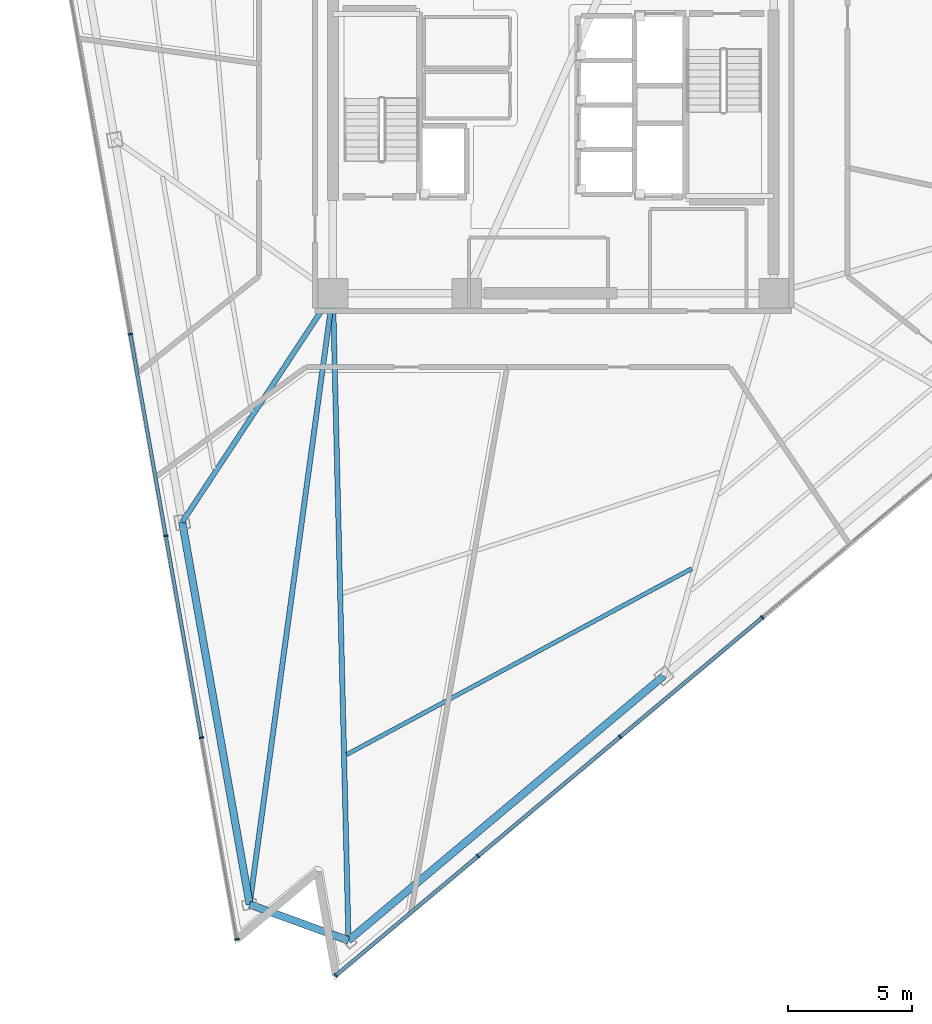
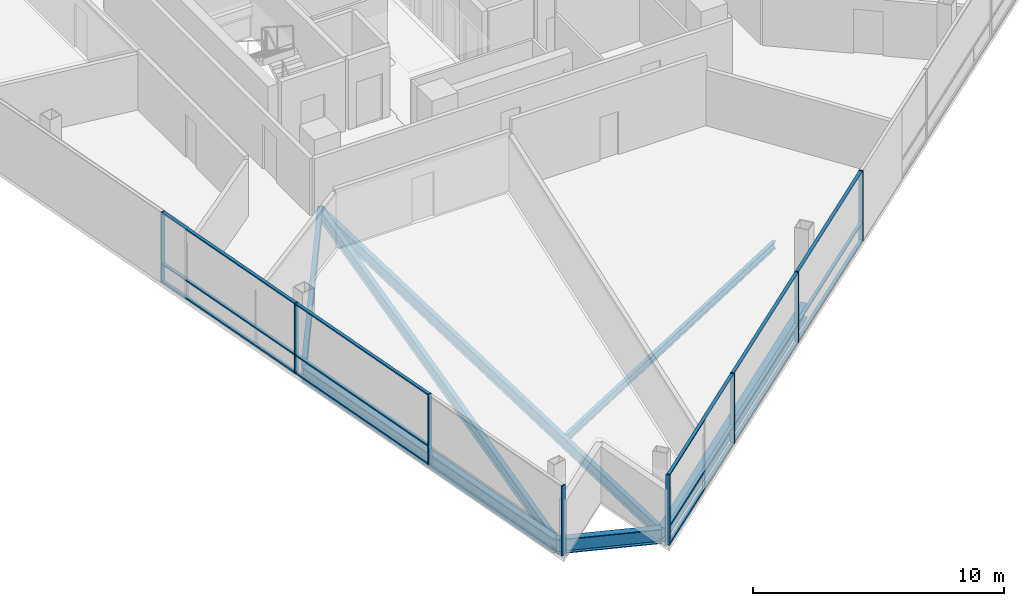
# One storey, part 2 of 16: 23 members, 7 beams, 2 elements without a shape of their own.
"""IFC4 building model written with IfcOpenShell, lengths in metres."""

from ifc_helpers import new_model, si_unit, direction, frame, origin, origin_2d, place, context, subcontext, project, spatial, rectangle, i_section, extrude, material, layer, layer_set, material_profile, profile_set, type_object, element, aggregate, save


model = new_model("IFC4")

# Units and contexts
model_context = context("Model", 3, precision=1e-05, world=origin(), true_north=direction((0.0, 1.0)))
body_context = subcontext(model_context, "Body", "Model", "MODEL_VIEW")
ifc_project = project(units=[si_unit("LENGTHUNIT", "METRE"), si_unit("AREAUNIT", "SQUARE_METRE"), si_unit("VOLUMEUNIT", "CUBIC_METRE"), si_unit("PLANEANGLEUNIT", "RADIAN"), si_unit("MASSUNIT", "GRAM", prefix="KILO")], contexts=[model_context])

# Site, building, storey
site_placement = place(None, origin())
site = spatial("IfcSite", under=ifc_project, at=site_placement, CompositionType="ELEMENT")
building_placement = place(site_placement, origin())
building = spatial("IfcBuilding", under=site, at=building_placement, Name="Tharavind Bronze Gate", CompositionType="ELEMENT")
storey_placement = place(building_placement, frame((0.0, 0.0, 170.5)))
storey = spatial("IfcBuildingStorey", under=building, at=storey_placement, Name="L43", CompositionType="ELEMENT", Elevation=170.5)

# Curtain wall, members
ifc_material_1 = material(Name="Anodised Bronze Aluminium", Category="aluminium")
ifc_layer = layer(ifc_material_1, 0.219970703125)
ifc_layer_set = layer_set([ifc_layer], Name="Anodised Bronze Aluminium")
curtain_wall_type = type_object("IfcCurtainWallType", Name="UNITISED CURTAIN WALL MID OFFICE", PredefinedType="USERDEFINED", material=ifc_layer_set)
curtain_wall_1_placement = place(storey_placement, origin())
curtain_wall_1 = element("IfcCurtainWall", 1, at=curtain_wall_1_placement, inside=storey, type_object=curtain_wall_type, Name="L43 unitised curtain wall mid office CW-L43-S1", ObjectType="UNITISED CURTAIN WALL", PredefinedType="USERDEFINED")
member_type_1 = type_object("IfcMemberType", Name="CURTAIN WALL BRONZE MULLION 65X180", PredefinedType="MULLION", material=ifc_material_1)
member_1_placement = place(storey_placement, frame((-17.086669921875, -9.250732421875, 0.0), z_axis=(0.0, 0.0, 1.0), x_axis=(0.173648177667, -0.984807753012, 0.0)))
member_1 = element("IfcMember", 2, at=member_1_placement, type_object=member_type_1, Name="CW-L43-S1 mullion 4", PredefinedType="MULLION", context=body_context, shape_type="SweptSolid", body=[
    extrude(rectangle(XDim=0.06494140625, YDim=0.179931640625, at=origin_2d()), origin(), (0.0, 0.0, 1.0), 3.419921875),
])
member_2_placement = place(storey_placement, frame((-15.650146484375, -17.3984375, 0.0), z_axis=(0.0, 0.0, 1.0), x_axis=(0.173648177667, -0.984807753012, 0.0)))
member_2 = element("IfcMember", 3, at=member_2_placement, type_object=member_type_1, Name="CW-L43-S1 mullion 5", PredefinedType="MULLION", context=body_context, shape_type="SweptSolid", body=[
    extrude(rectangle(XDim=0.06494140625, YDim=0.179931640625, at=origin_2d()), origin(), (0.0, 0.0, 1.0), 3.419921875),
])
member_3_placement = place(storey_placement, frame((-14.21337890625, -25.546142578125, 0.0), z_axis=(0.0, 0.0, 1.0), x_axis=(0.173648177667, -0.984807753012, 0.0)))
member_3 = element("IfcMember", 4, at=member_3_placement, type_object=member_type_1, Name="CW-L43-S1 mullion 6", PredefinedType="MULLION", context=body_context, shape_type="SweptSolid", body=[
    extrude(rectangle(XDim=0.06494140625, YDim=0.179931640625, at=origin_2d()), origin(), (0.0, 0.0, 1.0), 3.419921875),
])
member_4_placement = place(storey_placement, frame((-12.77685546875, -33.69384765625, 0.0), z_axis=(0.0, 0.0, 1.0), x_axis=(0.173648177667, -0.984807753012, 0.0)))
member_4 = element("IfcMember", 5, at=member_4_placement, type_object=member_type_1, Name="CW-L43-S1 mullion 7", PredefinedType="MULLION", context=body_context, shape_type="SweptSolid", body=[
    extrude(rectangle(XDim=0.06494140625, YDim=0.179931640625, at=origin_2d()), origin(), (0.0, 0.0, 1.0), 3.419921875),
])

curtain_wall_2_placement = place(storey_placement, origin())
curtain_wall_2 = element("IfcCurtainWall", 6, at=curtain_wall_2_placement, inside=storey, type_object=curtain_wall_type, Name="L43 unitised curtain wall mid office CW-L43-S2", ObjectType="UNITISED CURTAIN WALL", PredefinedType="USERDEFINED")
member_5_placement = place(storey_placement, frame((-8.784912109375, -35.146728515625, 0.0), z_axis=(0.0, 0.0, 1.0), x_axis=(0.766043321242, 0.642788946685, 0.0)))
member_5 = element("IfcMember", 7, at=member_5_placement, type_object=member_type_1, Name="CW-L43-S2 mullion 1", PredefinedType="MULLION", context=body_context, shape_type="SweptSolid", body=[
    extrude(rectangle(XDim=0.06494140625, YDim=0.179931640625, at=origin_2d()), origin(), (0.0, 0.0, 1.0), 3.419921875),
])
member_6_placement = place(storey_placement, frame((-3.042724609375, -30.328369140625, 0.0), z_axis=(0.0, 0.0, 1.0), x_axis=(0.766043321242, 0.642788946685, 0.0)))
member_6 = element("IfcMember", 8, at=member_6_placement, type_object=member_type_1, Name="CW-L43-S2 mullion 2", PredefinedType="MULLION", context=body_context, shape_type="SweptSolid", body=[
    extrude(rectangle(XDim=0.06494140625, YDim=0.179931640625, at=origin_2d()), origin(), (0.0, 0.0, 1.0), 3.419921875),
])
member_7_placement = place(storey_placement, frame((2.69970703125, -25.510009765625, 0.0), z_axis=(0.0, 0.0, 1.0), x_axis=(0.766043321242, 0.642788946685, 0.0)))
member_7 = element("IfcMember", 9, at=member_7_placement, type_object=member_type_1, Name="CW-L43-S2 mullion 3", PredefinedType="MULLION", context=body_context, shape_type="SweptSolid", body=[
    extrude(rectangle(XDim=0.06494140625, YDim=0.179931640625, at=origin_2d()), origin(), (0.0, 0.0, 1.0), 3.419921875),
])
member_8_placement = place(storey_placement, frame((8.44189453125, -20.691650390625, 0.0), z_axis=(0.0, 0.0, 1.0), x_axis=(0.766043321242, 0.642788946685, 0.0)))
member_8 = element("IfcMember", 10, at=member_8_placement, type_object=member_type_1, Name="CW-L43-S2 mullion 4", PredefinedType="MULLION", context=body_context, shape_type="SweptSolid", body=[
    extrude(rectangle(XDim=0.06494140625, YDim=0.179931640625, at=origin_2d()), origin(), (0.0, 0.0, 1.0), 3.419921875),
])

# Member
member_type_2 = type_object("IfcMemberType", Name="CURTAIN WALL BRONZE TRANSOM 65X140", PredefinedType="USERDEFINED", material=ifc_material_1)
member_9_placement = place(storey_placement, frame((-16.368408203125, -13.32470703125, 0.0), z_axis=(0.0, 0.0, 1.0), x_axis=(0.173648177667, -0.984807753012, 0.0)))
member_9 = element("IfcMember", 11, at=member_9_placement, type_object=member_type_2, Name="CW-L43-S1 transom TB4", ObjectType="TRANSOM", PredefinedType="USERDEFINED", context=body_context, shape_type="SweptSolid", body=[
    extrude(rectangle(XDim=8.220458984375, YDim=0.139892578125, at=origin_2d()), origin(), (0.0, 0.0, 1.0), 0.06494140625),
])

member_10_placement = place(storey_placement, frame((-16.368408203125, -13.32470703125, 0.867431640625), z_axis=(0.0, 0.0, 1.0), x_axis=(0.173648177667, -0.984807753012, 0.0)))
member_10 = element("IfcMember", 12, at=member_10_placement, type_object=member_type_2, Name="CW-L43-S1 transom TS4", ObjectType="TRANSOM", PredefinedType="USERDEFINED", context=body_context, shape_type="SweptSolid", body=[
    extrude(rectangle(XDim=8.220458984375, YDim=0.139892578125, at=origin_2d()), origin(), (0.0, 0.0, 1.0), 0.06494140625),
])

member_11_placement = place(storey_placement, frame((-16.368408203125, -13.32470703125, 3.35498046875), z_axis=(0.0, 0.0, 1.0), x_axis=(0.173648177667, -0.984807753012, 0.0)))
member_11 = element("IfcMember", 13, at=member_11_placement, type_object=member_type_2, Name="CW-L43-S1 transom TT4", ObjectType="TRANSOM", PredefinedType="USERDEFINED", context=body_context, shape_type="SweptSolid", body=[
    extrude(rectangle(XDim=8.220458984375, YDim=0.139892578125, at=origin_2d()), origin(), (0.0, 0.0, 1.0), 0.06494140625),
])

member_12_placement = place(storey_placement, frame((-14.931884765625, -21.472412109375, 0.0), z_axis=(0.0, 0.0, 1.0), x_axis=(0.173648177667, -0.984807753012, 0.0)))
member_12 = element("IfcMember", 14, at=member_12_placement, type_object=member_type_2, Name="CW-L43-S1 transom TB5", ObjectType="TRANSOM", PredefinedType="USERDEFINED", context=body_context, shape_type="SweptSolid", body=[
    extrude(rectangle(XDim=8.220458984375, YDim=0.139892578125, at=origin_2d()), origin(), (0.0, 0.0, 1.0), 0.06494140625),
])

member_13_placement = place(storey_placement, frame((-14.931884765625, -21.472412109375, 0.867431640625), z_axis=(0.0, 0.0, 1.0), x_axis=(0.173648177667, -0.984807753012, 0.0)))
member_13 = element("IfcMember", 15, at=member_13_placement, type_object=member_type_2, Name="CW-L43-S1 transom TS5", ObjectType="TRANSOM", PredefinedType="USERDEFINED", context=body_context, shape_type="SweptSolid", body=[
    extrude(rectangle(XDim=8.220458984375, YDim=0.139892578125, at=origin_2d()), origin(), (0.0, 0.0, 1.0), 0.06494140625),
])

member_14_placement = place(storey_placement, frame((-14.931884765625, -21.472412109375, 3.35498046875), z_axis=(0.0, 0.0, 1.0), x_axis=(0.173648177667, -0.984807753012, 0.0)))
member_14 = element("IfcMember", 16, at=member_14_placement, type_object=member_type_2, Name="CW-L43-S1 transom TT5", ObjectType="TRANSOM", PredefinedType="USERDEFINED", context=body_context, shape_type="SweptSolid", body=[
    extrude(rectangle(XDim=8.220458984375, YDim=0.139892578125, at=origin_2d()), origin(), (0.0, 0.0, 1.0), 0.06494140625),
])

aggregate(curtain_wall_1, [member_1, member_2, member_3, member_4, member_9, member_10, member_11, member_12, member_13, member_14])

member_15_placement = place(storey_placement, frame((-5.913818359375, -32.737548828125, 0.0), z_axis=(0.0, 0.0, 1.0), x_axis=(0.766043321242, 0.642788946685, 0.0)))
member_15 = element("IfcMember", 17, at=member_15_placement, type_object=member_type_2, Name="CW-L43-S2 transom TB1", ObjectType="TRANSOM", PredefinedType="USERDEFINED", context=body_context, shape_type="SweptSolid", body=[
    extrude(rectangle(XDim=7.443115234375, YDim=0.139892578125, at=origin_2d()), origin(), (0.0, 0.0, 1.0), 0.06494140625),
])

member_16_placement = place(storey_placement, frame((-5.913818359375, -32.737548828125, 0.867431640625), z_axis=(0.0, 0.0, 1.0), x_axis=(0.766043321242, 0.642788946685, 0.0)))
member_16 = element("IfcMember", 18, at=member_16_placement, type_object=member_type_2, Name="CW-L43-S2 transom TS1", ObjectType="TRANSOM", PredefinedType="USERDEFINED", context=body_context, shape_type="SweptSolid", body=[
    extrude(rectangle(XDim=7.443115234375, YDim=0.139892578125, at=origin_2d()), origin(), (0.0, 0.0, 1.0), 0.06494140625),
])

member_17_placement = place(storey_placement, frame((-5.913818359375, -32.737548828125, 3.35498046875), z_axis=(0.0, 0.0, 1.0), x_axis=(0.766043321242, 0.642788946685, 0.0)))
member_17 = element("IfcMember", 19, at=member_17_placement, type_object=member_type_2, Name="CW-L43-S2 transom TT1", ObjectType="TRANSOM", PredefinedType="USERDEFINED", context=body_context, shape_type="SweptSolid", body=[
    extrude(rectangle(XDim=7.443115234375, YDim=0.139892578125, at=origin_2d()), origin(), (0.0, 0.0, 1.0), 0.06494140625),
])

member_18_placement = place(storey_placement, frame((-0.171630859375, -27.919189453125, 0.0), z_axis=(0.0, 0.0, 1.0), x_axis=(0.766043321242, 0.642788946685, 0.0)))
member_18 = element("IfcMember", 20, at=member_18_placement, type_object=member_type_2, Name="CW-L43-S2 transom TB2", ObjectType="TRANSOM", PredefinedType="USERDEFINED", context=body_context, shape_type="SweptSolid", body=[
    extrude(rectangle(XDim=7.443115234375, YDim=0.139892578125, at=origin_2d()), origin(), (0.0, 0.0, 1.0), 0.06494140625),
])

member_19_placement = place(storey_placement, frame((-0.171630859375, -27.919189453125, 0.867431640625), z_axis=(0.0, 0.0, 1.0), x_axis=(0.766043321242, 0.642788946685, 0.0)))
member_19 = element("IfcMember", 21, at=member_19_placement, type_object=member_type_2, Name="CW-L43-S2 transom TS2", ObjectType="TRANSOM", PredefinedType="USERDEFINED", context=body_context, shape_type="SweptSolid", body=[
    extrude(rectangle(XDim=7.443115234375, YDim=0.139892578125, at=origin_2d()), origin(), (0.0, 0.0, 1.0), 0.06494140625),
])

member_20_placement = place(storey_placement, frame((-0.171630859375, -27.919189453125, 3.35498046875), z_axis=(0.0, 0.0, 1.0), x_axis=(0.766043321242, 0.642788946685, 0.0)))
member_20 = element("IfcMember", 22, at=member_20_placement, type_object=member_type_2, Name="CW-L43-S2 transom TT2", ObjectType="TRANSOM", PredefinedType="USERDEFINED", context=body_context, shape_type="SweptSolid", body=[
    extrude(rectangle(XDim=7.443115234375, YDim=0.139892578125, at=origin_2d()), origin(), (0.0, 0.0, 1.0), 0.06494140625),
])

member_21_placement = place(storey_placement, frame((5.57080078125, -23.100830078125, 0.0), z_axis=(0.0, 0.0, 1.0), x_axis=(0.766043321242, 0.642788946685, 0.0)))
member_21 = element("IfcMember", 23, at=member_21_placement, type_object=member_type_2, Name="CW-L43-S2 transom TB3", ObjectType="TRANSOM", PredefinedType="USERDEFINED", context=body_context, shape_type="SweptSolid", body=[
    extrude(rectangle(XDim=7.443115234375, YDim=0.139892578125, at=origin_2d()), origin(), (0.0, 0.0, 1.0), 0.06494140625),
])

member_22_placement = place(storey_placement, frame((5.57080078125, -23.100830078125, 0.867431640625), z_axis=(0.0, 0.0, 1.0), x_axis=(0.766043321242, 0.642788946685, 0.0)))
member_22 = element("IfcMember", 24, at=member_22_placement, type_object=member_type_2, Name="CW-L43-S2 transom TS3", ObjectType="TRANSOM", PredefinedType="USERDEFINED", context=body_context, shape_type="SweptSolid", body=[
    extrude(rectangle(XDim=7.443115234375, YDim=0.139892578125, at=origin_2d()), origin(), (0.0, 0.0, 1.0), 0.06494140625),
])

member_23_placement = place(storey_placement, frame((5.57080078125, -23.100830078125, 3.35498046875), z_axis=(0.0, 0.0, 1.0), x_axis=(0.766043321242, 0.642788946685, 0.0)))
member_23 = element("IfcMember", 25, at=member_23_placement, type_object=member_type_2, Name="CW-L43-S2 transom TT3", ObjectType="TRANSOM", PredefinedType="USERDEFINED", context=body_context, shape_type="SweptSolid", body=[
    extrude(rectangle(XDim=7.443115234375, YDim=0.139892578125, at=origin_2d()), origin(), (0.0, 0.0, 1.0), 0.06494140625),
])

aggregate(curtain_wall_2, [member_5, member_6, member_7, member_8, member_15, member_16, member_17, member_18, member_19, member_20, member_21, member_22, member_23])

# Beams
ifc_material_2 = material(Name="Steel S355", Category="steel")
ifc_material_profile_1 = material_profile(ifc_material_2, i_section(OverallWidth=0.2099609375, OverallDepth=0.550048828125, WebThickness=0.010986328125, FlangeThickness=0.01708984375, at=origin_2d()), Name="IPE550")
ifc_profile_set_1 = profile_set([ifc_material_profile_1], Name="Steel S355")
beam_type_1 = type_object("IfcBeamType", Name="PRIMARY GIRDER IPE550", PredefinedType="USERDEFINED", material=ifc_profile_set_1)
beam_1_placement = place(storey_placement, frame((-14.98681640625, -16.841796875, -0.455078125), z_axis=(0.550048368659, 0.835132799102, 0.0), x_axis=(-0.835132799102, 0.550048368659, 0.0)))
element("IfcBeam", 26, at=beam_1_placement, inside=storey, type_object=beam_type_1, Name="L43 primary girder ipe550 BM-L43-RAD03", ObjectType="GIRDER", PredefinedType="USERDEFINED", context=body_context, shape_type="SweptSolid", body=[
    extrude(i_section(OverallWidth=0.2099609375, OverallDepth=0.550048828125, WebThickness=0.010986328125, FlangeThickness=0.01708984375, at=origin_2d()), origin(), (0.0, 0.0, 1.0), 11.066162109375),
])
beam_2_placement = place(storey_placement, frame((-12.263916015625, -32.2841796875, -0.455078125), z_axis=(0.135034486087, 0.99084089922, 0.0), x_axis=(-0.99084089922, 0.135034486087, 0.0)))
element("IfcBeam", 27, at=beam_2_placement, inside=storey, type_object=beam_type_1, Name="L43 primary girder ipe550 BM-L43-RAD04", ObjectType="GIRDER", PredefinedType="USERDEFINED", context=body_context, shape_type="SweptSolid", body=[
    extrude(i_section(OverallWidth=0.2099609375, OverallDepth=0.550048828125, WebThickness=0.010986328125, FlangeThickness=0.01708984375, at=origin_2d()), origin(), (0.0, 0.0, 1.0), 24.912353515625),
])
beam_3_placement = place(storey_placement, frame((-8.27197265625, -33.737060546875, -0.455078125), z_axis=(-0.024017654771, 0.999711534523, 0.0), x_axis=(-0.999711534523, -0.024017654771, 0.0)))
element("IfcBeam", 28, at=beam_3_placement, inside=storey, type_object=beam_type_1, Name="L43 primary girder ipe550 BM-L43-RAD05", ObjectType="GIRDER", PredefinedType="USERDEFINED", context=body_context, shape_type="SweptSolid", body=[
    extrude(i_section(OverallWidth=0.2099609375, OverallDepth=0.550048828125, WebThickness=0.010986328125, FlangeThickness=0.01708984375, at=origin_2d()), origin(), (0.0, 0.0, 1.0), 26.14453125),
])
ifc_material_profile_2 = material_profile(ifc_material_2, i_section(OverallWidth=0.300048828125, OverallDepth=0.699951171875, WebThickness=0.01708984375, FlangeThickness=0.031982421875, at=origin_2d()), Name="HE700B")
ifc_profile_set_2 = profile_set([ifc_material_profile_2], Name="Steel S355")
beam_type_2 = type_object("IfcBeamType", Name="RING GIRDER HE700B", PredefinedType="USERDEFINED", material=ifc_profile_set_2)
beam_4_placement = place(storey_placement, frame((-14.98681640625, -16.841796875, -0.530029296875), z_axis=(0.173647661488, -0.984807844028, 0.0), x_axis=(0.984807844028, 0.173647661488, 0.0)))
element("IfcBeam", 29, at=beam_4_placement, inside=storey, type_object=beam_type_2, Name="L43 ring girder he700b BM-L43-PRG03", ObjectType="GIRDER", PredefinedType="USERDEFINED", context=body_context, shape_type="SweptSolid", body=[
    extrude(i_section(OverallWidth=0.300048828125, OverallDepth=0.699951171875, WebThickness=0.01708984375, FlangeThickness=0.031982421875, at=origin_2d()), origin(), (0.0, 0.0, 1.0), 15.6806640625),
])
beam_5_placement = place(storey_placement, frame((-12.263916015625, -32.2841796875, -0.530029296875), z_axis=(0.939697742591, -0.342006070953, 0.0), x_axis=(0.342006070953, 0.939697742591, 0.0)))
element("IfcBeam", 30, at=beam_5_placement, inside=storey, type_object=beam_type_2, Name="L43 ring girder he700b BM-L43-PRG04", ObjectType="GIRDER", PredefinedType="USERDEFINED", context=body_context, shape_type="SweptSolid", body=[
    extrude(i_section(OverallWidth=0.300048828125, OverallDepth=0.699951171875, WebThickness=0.01708984375, FlangeThickness=0.031982421875, at=origin_2d()), origin(), (0.0, 0.0, 1.0), 4.248046875),
])
beam_6_placement = place(storey_placement, frame((-8.27197265625, -33.737060546875, -0.530029296875), z_axis=(0.766042947444, 0.642789392159, 0.0), x_axis=(-0.642789392159, 0.766042947444, 0.0)))
element("IfcBeam", 31, at=beam_6_placement, inside=storey, type_object=beam_type_2, Name="L43 ring girder he700b BM-L43-PRG05", ObjectType="GIRDER", PredefinedType="USERDEFINED", context=body_context, shape_type="SweptSolid", body=[
    extrude(i_section(OverallWidth=0.300048828125, OverallDepth=0.699951171875, WebThickness=0.01708984375, FlangeThickness=0.031982421875, at=origin_2d()), origin(), (0.0, 0.0, 1.0), 16.624755859375),
])
ifc_material_profile_3 = material_profile(ifc_material_2, i_section(OverallWidth=0.169921875, OverallDepth=0.360107421875, WebThickness=0.008056640625, FlangeThickness=0.0126953125, at=origin_2d()), Name="IPE360")
ifc_profile_set_3 = profile_set([ifc_material_profile_3], Name="Steel S355")
beam_type_3 = type_object("IfcBeamType", Name="SECONDARY FLOOR JOIST IPE360", PredefinedType="JOIST", material=ifc_profile_set_3)
beam_7_placement = place(storey_placement, frame((-8.34375, -26.230224609375, -0.360107421875), z_axis=(0.880319056921, 0.474382080207, 0.0), x_axis=(-0.474382080207, 0.880319056921, 0.0)))
element("IfcBeam", 32, at=beam_7_placement, inside=storey, type_object=beam_type_3, Name="L43 secondary floor joist ipe360 BM-L43-JSTB05", PredefinedType="JOIST", context=body_context, shape_type="SweptSolid", body=[
    extrude(i_section(OverallWidth=0.169921875, OverallDepth=0.360107421875, WebThickness=0.008056640625, FlangeThickness=0.0126953125, at=origin_2d()), origin(), (0.0, 0.0, 1.0), 15.833740234375),
])

save(model, "model.ifc")
